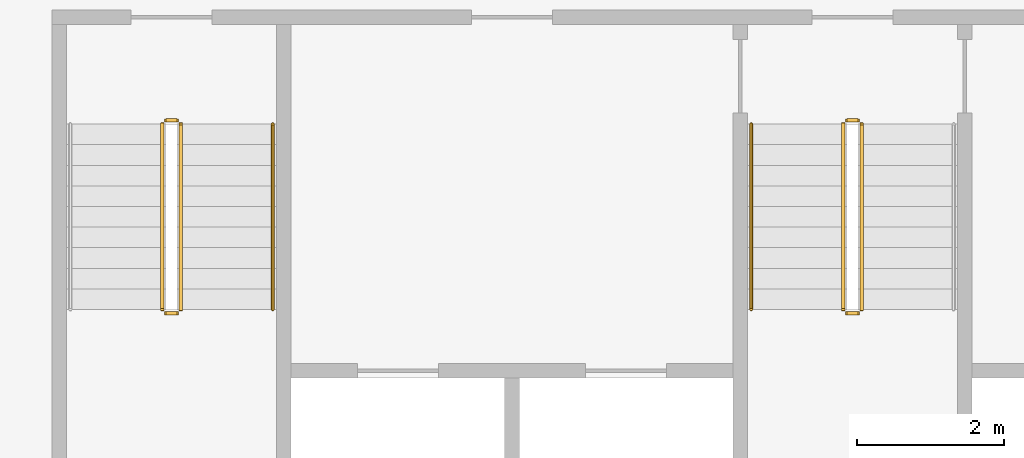
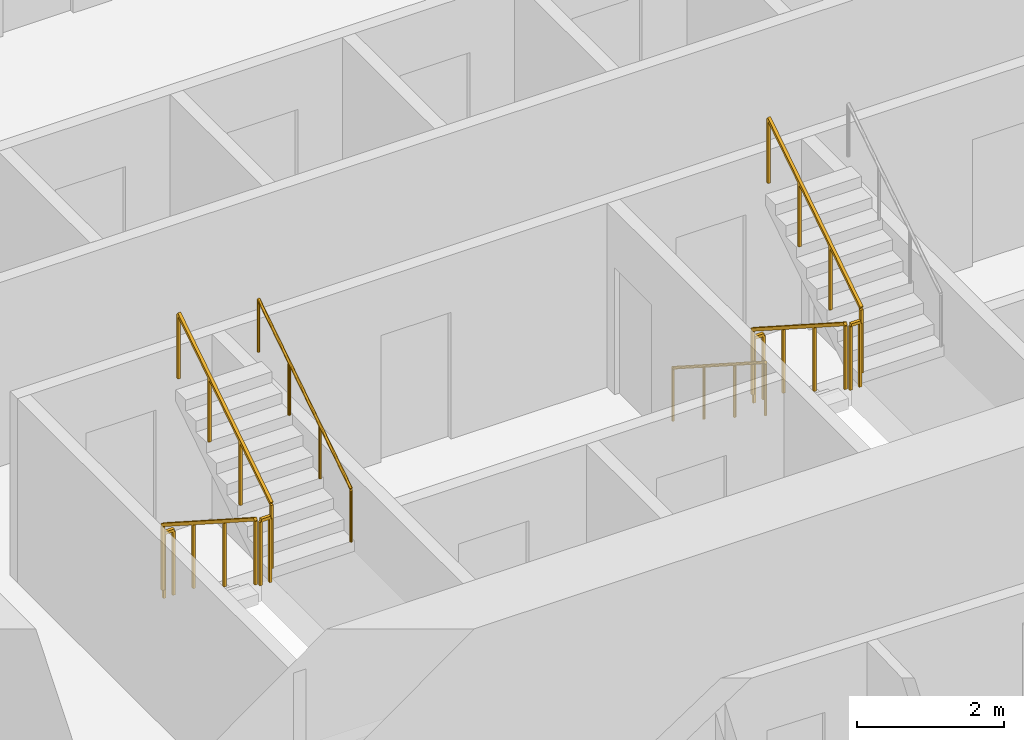
# One storey, part 14 of 16: 10 railings.
"""IFC4 building model written with IfcOpenShell, lengths in metres."""

from ifc_helpers import new_model, si_unit, direction, frame, origin, origin_2d, place, context, subcontext, project, spatial, rectangle, circle, extrude, material, type_object, element, save


model = new_model("IFC4")

# Units and contexts
model_context = context("Model", 3, precision=1e-05, world=origin(), true_north=direction((0.0, 1.0)))
body_context = subcontext(model_context, "Body", "Model", "MODEL_VIEW")
ifc_project = project(units=[si_unit("LENGTHUNIT", "METRE"), si_unit("AREAUNIT", "SQUARE_METRE"), si_unit("VOLUMEUNIT", "CUBIC_METRE"), si_unit("PLANEANGLEUNIT", "RADIAN"), si_unit("MASSUNIT", "GRAM", prefix="KILO")], contexts=[model_context])

# Site, building, storey
site_placement = place(None, origin())
site = spatial("IfcSite", under=ifc_project, at=site_placement, CompositionType="ELEMENT")
building_placement = place(site_placement, origin())
building = spatial("IfcBuilding", under=site, at=building_placement, Name="Mangrove Gate Tower", CompositionType="ELEMENT")
storey_placement = place(building_placement, frame((0.0, 0.0, 101.89990234375)))
storey = spatial("IfcBuildingStorey", under=building, at=storey_placement, Name="L25", CompositionType="ELEMENT", Elevation=101.89990234375)

# Railings
ifc_material_1 = material(Name="Stainless steel 316", Category="steel")
railing_type_1 = type_object("IfcRailingType", Name="Core stair guard 1100", PredefinedType="GUARDRAIL", material=ifc_material_1)
railing_1_placement = place(storey_placement, frame((-9.39990234375, -4.64990234375, 0.18017578125)))
element("IfcRailing", 1, at=railing_1_placement, inside=storey, type_object=railing_type_1, Name="L25 ST1 stair guard 1", PredefinedType="GUARDRAIL", context=body_context, shape_type="SweptSolid", body=[
    extrude(rectangle(XDim=0.048095703125, YDim=0.048095703125, at=origin_2d()), frame((0.0, 0.0, 1.076171875), z_axis=(0.0, -0.841199657755, 0.540724639528), x_axis=(1.0, 0.0, 0.0)), (0.0, 0.0, 1.0), 2.995849609375),
    extrude(rectangle(XDim=0.0419921875, YDim=0.0419921875, at=origin_2d()), origin(), (0.0, 0.0, 1.0), 1.052001953125),
    extrude(rectangle(XDim=0.0419921875, YDim=0.0419921875, at=origin_2d()), frame((0.0, -0.840087890625, 0.5400390625)), (0.0, 0.0, 1.0), 1.052001953125),
    extrude(rectangle(XDim=0.0419921875, YDim=0.0419921875, at=origin_2d()), frame((0.0, -1.679931640625, 1.079833984375)), (0.0, 0.0, 1.0), 1.052001953125),
    extrude(rectangle(XDim=0.0419921875, YDim=0.0419921875, at=origin_2d()), frame((0.0, -2.52001953125, 1.619873046875)), (0.0, 0.0, 1.0), 1.052001953125),
])
railing_2_placement = place(storey_placement, frame((-9.35009765625, -7.219970703125, 1.800048828125)))
element("IfcRailing", 2, at=railing_2_placement, inside=storey, type_object=railing_type_1, Name="L25 ST1 stair guard 2", PredefinedType="GUARDRAIL", context=body_context, shape_type="SweptSolid", body=[
    extrude(rectangle(XDim=0.048095703125, YDim=0.048095703125, at=origin_2d()), frame((0.0, 0.0, 1.076171875), z_axis=(1.0, 0.0, 0.0), x_axis=(0.0, 1.0, 0.0)), (0.0, 0.0, 1.0), 0.150146484375),
    extrude(rectangle(XDim=0.0419921875, YDim=0.0419921875, at=origin_2d()), origin(), (0.0, 0.0, 1.0), 1.052001953125),
    extrude(rectangle(XDim=0.0419921875, YDim=0.0419921875, at=origin_2d()), frame((0.150146484375, 0.0, 0.0)), (0.0, 0.0, 1.0), 1.052001953125),
])
railing_3_placement = place(storey_placement, frame((-9.14990234375, -7.169921875, 1.97998046875)))
element("IfcRailing", 3, at=railing_3_placement, inside=storey, type_object=railing_type_1, Name="L25 ST1 stair guard 3", PredefinedType="GUARDRAIL", context=body_context, shape_type="SweptSolid", body=[
    extrude(rectangle(XDim=0.048095703125, YDim=0.048095703125, at=origin_2d()), frame((0.0, 0.0, 1.076171875), z_axis=(0.0, 0.841162588446, 0.540782303519), x_axis=(-1.0, 0.0, 0.0)), (0.0, 0.0, 1.0), 2.995849609375),
    extrude(rectangle(XDim=0.0419921875, YDim=0.0419921875, at=origin_2d()), origin(), (0.0, 0.0, 1.0), 1.052001953125),
    extrude(rectangle(XDim=0.0419921875, YDim=0.0419921875, at=origin_2d()), frame((0.0, 0.840087890625, 0.5400390625)), (0.0, 0.0, 1.0), 1.052001953125),
    extrude(rectangle(XDim=0.0419921875, YDim=0.0419921875, at=origin_2d()), frame((0.0, 1.679931640625, 1.080078125)), (0.0, 0.0, 1.0), 1.052001953125),
    extrude(rectangle(XDim=0.0419921875, YDim=0.0419921875, at=origin_2d()), frame((0.0, 2.52001953125, 1.6201171875)), (0.0, 0.0, 1.0), 1.052001953125),
])
railing_4_placement = place(storey_placement, frame((-9.35009765625, -4.60009765625, 0.0)))
element("IfcRailing", 4, at=railing_4_placement, inside=storey, type_object=railing_type_1, Name="L25 ST1 stair guard 4", PredefinedType="GUARDRAIL", context=body_context, shape_type="SweptSolid", body=[
    extrude(rectangle(XDim=0.048095703125, YDim=0.048095703125, at=origin_2d()), frame((0.0, 0.0, 1.076171875), z_axis=(1.0, 0.0, 0.0), x_axis=(0.0, 1.0, 0.0)), (0.0, 0.0, 1.0), 0.150146484375),
    extrude(rectangle(XDim=0.0419921875, YDim=0.0419921875, at=origin_2d()), origin(), (0.0, 0.0, 1.0), 1.052001953125),
    extrude(rectangle(XDim=0.0419921875, YDim=0.0419921875, at=origin_2d()), frame((0.150146484375, 0.0, 0.0)), (0.0, 0.0, 1.0), 1.052001953125),
])
railing_5_placement = place(storey_placement, frame((-0.14990234375, -4.64990234375, 0.18017578125)))
element("IfcRailing", 5, at=railing_5_placement, inside=storey, type_object=railing_type_1, Name="L25 ST2 stair guard 1", PredefinedType="GUARDRAIL", context=body_context, shape_type="SweptSolid", body=[
    extrude(rectangle(XDim=0.048095703125, YDim=0.048095703125, at=origin_2d()), frame((0.0, 0.0, 1.076171875), z_axis=(0.0, -0.841199657755, 0.540724639528), x_axis=(1.0, 0.0, 0.0)), (0.0, 0.0, 1.0), 2.995849609375),
    extrude(rectangle(XDim=0.0419921875, YDim=0.0419921875, at=origin_2d()), origin(), (0.0, 0.0, 1.0), 1.052001953125),
    extrude(rectangle(XDim=0.0419921875, YDim=0.0419921875, at=origin_2d()), frame((0.0, -0.840087890625, 0.5400390625)), (0.0, 0.0, 1.0), 1.052001953125),
    extrude(rectangle(XDim=0.0419921875, YDim=0.0419921875, at=origin_2d()), frame((0.0, -1.679931640625, 1.079833984375)), (0.0, 0.0, 1.0), 1.052001953125),
    extrude(rectangle(XDim=0.0419921875, YDim=0.0419921875, at=origin_2d()), frame((0.0, -2.52001953125, 1.619873046875)), (0.0, 0.0, 1.0), 1.052001953125),
])
railing_6_placement = place(storey_placement, frame((-0.10009765625, -7.219970703125, 1.800048828125)))
element("IfcRailing", 6, at=railing_6_placement, inside=storey, type_object=railing_type_1, Name="L25 ST2 stair guard 2", PredefinedType="GUARDRAIL", context=body_context, shape_type="SweptSolid", body=[
    extrude(rectangle(XDim=0.048095703125, YDim=0.048095703125, at=origin_2d()), frame((0.0, 0.0, 1.076171875), z_axis=(1.0, 0.0, 0.0), x_axis=(0.0, 1.0, 0.0)), (0.0, 0.0, 1.0), 0.150146484375),
    extrude(rectangle(XDim=0.0419921875, YDim=0.0419921875, at=origin_2d()), origin(), (0.0, 0.0, 1.0), 1.052001953125),
    extrude(rectangle(XDim=0.0419921875, YDim=0.0419921875, at=origin_2d()), frame((0.150146484375, 0.0, 0.0)), (0.0, 0.0, 1.0), 1.052001953125),
])
railing_7_placement = place(storey_placement, frame((0.10009765625, -7.169921875, 1.97998046875)))
element("IfcRailing", 7, at=railing_7_placement, inside=storey, type_object=railing_type_1, Name="L25 ST2 stair guard 3", PredefinedType="GUARDRAIL", context=body_context, shape_type="SweptSolid", body=[
    extrude(rectangle(XDim=0.048095703125, YDim=0.048095703125, at=origin_2d()), frame((0.0, 0.0, 1.076171875), z_axis=(0.0, 0.841162588446, 0.540782303519), x_axis=(-1.0, 0.0, 0.0)), (0.0, 0.0, 1.0), 2.995849609375),
    extrude(rectangle(XDim=0.0419921875, YDim=0.0419921875, at=origin_2d()), origin(), (0.0, 0.0, 1.0), 1.052001953125),
    extrude(rectangle(XDim=0.0419921875, YDim=0.0419921875, at=origin_2d()), frame((0.0, 0.840087890625, 0.5400390625)), (0.0, 0.0, 1.0), 1.052001953125),
    extrude(rectangle(XDim=0.0419921875, YDim=0.0419921875, at=origin_2d()), frame((0.0, 1.679931640625, 1.080078125)), (0.0, 0.0, 1.0), 1.052001953125),
    extrude(rectangle(XDim=0.0419921875, YDim=0.0419921875, at=origin_2d()), frame((0.0, 2.52001953125, 1.6201171875)), (0.0, 0.0, 1.0), 1.052001953125),
])
railing_8_placement = place(storey_placement, frame((-0.10009765625, -4.60009765625, 0.0)))
element("IfcRailing", 8, at=railing_8_placement, inside=storey, type_object=railing_type_1, Name="L25 ST2 stair guard 4", PredefinedType="GUARDRAIL", context=body_context, shape_type="SweptSolid", body=[
    extrude(rectangle(XDim=0.048095703125, YDim=0.048095703125, at=origin_2d()), frame((0.0, 0.0, 1.076171875), z_axis=(1.0, 0.0, 0.0), x_axis=(0.0, 1.0, 0.0)), (0.0, 0.0, 1.0), 0.150146484375),
    extrude(rectangle(XDim=0.0419921875, YDim=0.0419921875, at=origin_2d()), origin(), (0.0, 0.0, 1.0), 1.052001953125),
    extrude(rectangle(XDim=0.0419921875, YDim=0.0419921875, at=origin_2d()), frame((0.150146484375, 0.0, 0.0)), (0.0, 0.0, 1.0), 1.052001953125),
])
ifc_material_2 = material(Name="Stainless steel 316", Category="steel")
railing_type_2 = type_object("IfcRailingType", Name="Core stair handrail 900", PredefinedType="HANDRAIL", material=ifc_material_2)
railing_9_placement = place(storey_placement, frame((-7.89990234375, -7.169921875, 1.97998046875)))
element("IfcRailing", 9, at=railing_9_placement, inside=storey, type_object=railing_type_2, Name="L25 ST1 stair handrail 2", PredefinedType="HANDRAIL", context=body_context, shape_type="SweptSolid", body=[
    extrude(circle(Radius=0.02392578125, at=origin_2d()), frame((0.0, 0.0, 0.8759765625), z_axis=(0.0, 0.841162588446, 0.540782303519), x_axis=(-1.0, 0.0, 0.0)), (0.0, 0.0, 1.0), 2.995849609375),
    extrude(circle(Radius=0.02099609375, at=origin_2d()), origin(), (0.0, 0.0, 1.0), 0.851806640625),
    extrude(circle(Radius=0.02099609375, at=origin_2d()), frame((0.0, 0.840087890625, 0.5400390625)), (0.0, 0.0, 1.0), 0.851806640625),
    extrude(circle(Radius=0.02099609375, at=origin_2d()), frame((0.0, 1.679931640625, 1.080078125)), (0.0, 0.0, 1.0), 0.851806640625),
    extrude(circle(Radius=0.02099609375, at=origin_2d()), frame((0.0, 2.52001953125, 1.6201171875)), (0.0, 0.0, 1.0), 0.851806640625),
])
railing_10_placement = place(storey_placement, frame((-1.39990234375, -4.64990234375, 0.18017578125)))
element("IfcRailing", 10, at=railing_10_placement, inside=storey, type_object=railing_type_2, Name="L25 ST2 stair handrail 1", PredefinedType="HANDRAIL", context=body_context, shape_type="SweptSolid", body=[
    extrude(circle(Radius=0.02392578125, at=origin_2d()), frame((0.0, 0.0, 0.8759765625), z_axis=(0.0, -0.841199657755, 0.540724639528), x_axis=(1.0, 0.0, 0.0)), (0.0, 0.0, 1.0), 2.995849609375),
    extrude(circle(Radius=0.02099609375, at=origin_2d()), origin(), (0.0, 0.0, 1.0), 0.851806640625),
    extrude(circle(Radius=0.02099609375, at=origin_2d()), frame((0.0, -0.840087890625, 0.5400390625)), (0.0, 0.0, 1.0), 0.851806640625),
    extrude(circle(Radius=0.02099609375, at=origin_2d()), frame((0.0, -1.679931640625, 1.079833984375)), (0.0, 0.0, 1.0), 0.851806640625),
    extrude(circle(Radius=0.02099609375, at=origin_2d()), frame((0.0, -2.52001953125, 1.619873046875)), (0.0, 0.0, 1.0), 0.851806640625),
])

save(model, "model.ifc")
